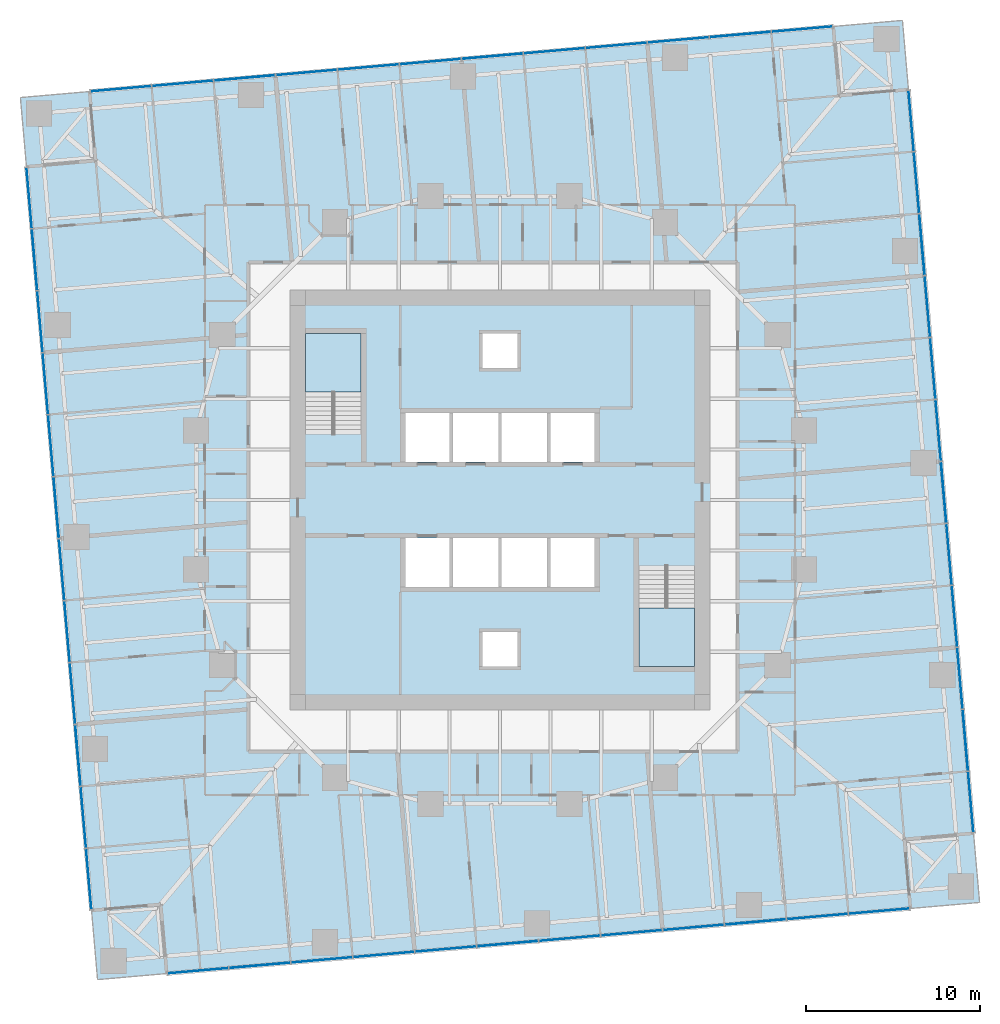
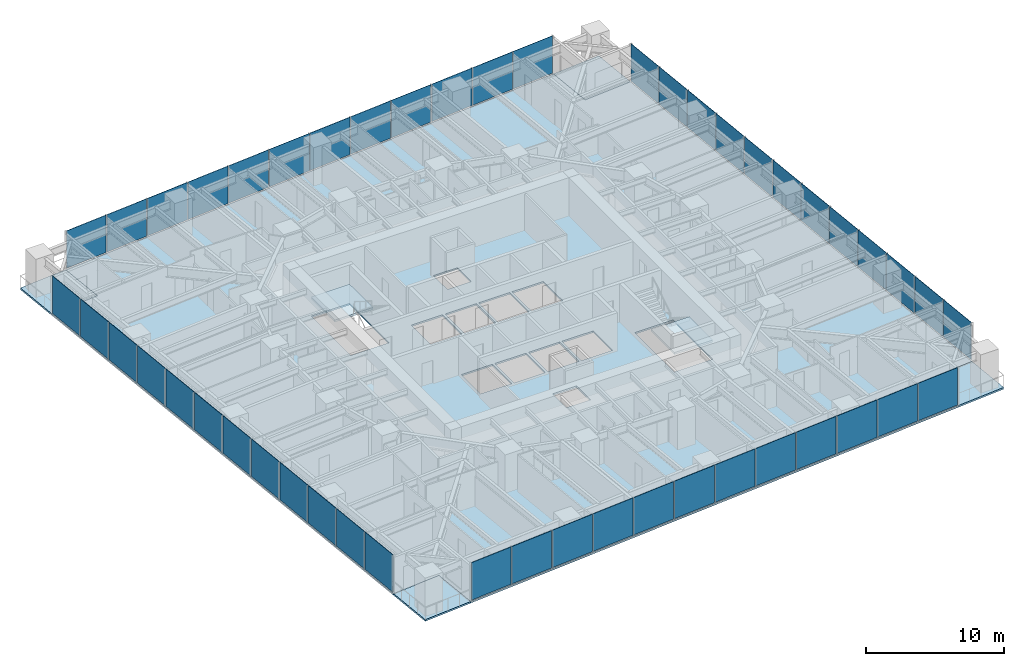
# One storey, part 7 of 14: 48 plates, 7 slabs, 6 elements without a shape of their own.
"""IFC4 building model written with IfcOpenShell, lengths in metres."""

from ifc_helpers import new_model, si_unit, direction, frame, origin, origin_2d, place, context, subcontext, project, spatial, polyline, rectangle, outline, extrude, material, layer, layer_set, type_object, element, aggregate, save


model = new_model("IFC4")

# Units and contexts
model_context = context("Model", 3, precision=1e-05, world=origin(), true_north=direction((0.0, 1.0)))
body_context = subcontext(model_context, "Body", "Model", "MODEL_VIEW")
ifc_project = project(units=[si_unit("LENGTHUNIT", "METRE"), si_unit("AREAUNIT", "SQUARE_METRE"), si_unit("VOLUMEUNIT", "CUBIC_METRE"), si_unit("PLANEANGLEUNIT", "RADIAN"), si_unit("MASSUNIT", "GRAM", prefix="KILO")], contexts=[model_context])

# Site, building, storey
site_placement = place(None, origin())
site = spatial("IfcSite", under=ifc_project, at=site_placement, CompositionType="ELEMENT")
building_placement = place(site_placement, origin())
building = spatial("IfcBuilding", under=site, at=building_placement, Name="Torsade Residences", CompositionType="ELEMENT")
storey_placement = place(building_placement, frame((0.0, 0.0, 50.60009765625)))
storey = spatial("IfcBuildingStorey", under=building, at=storey_placement, Name="L13", CompositionType="ELEMENT", Elevation=50.60009765625)

# Slab
ifc_material_1 = material(Name="Concrete 40 MPa", Category="concrete")
ifc_layer_1 = layer(ifc_material_1, 0.14990234375)
ifc_layer_set_1 = layer_set([ifc_layer_1], Name="Concrete 40 MPa")
slab_type_1 = type_object("IfcSlabType", Name="COMPOSITE FLOOR SLAB 150", PredefinedType="FLOOR", material=ifc_layer_set_1)
slab_1_placement = place(storey_placement, frame((0.0, 0.0, -0.150146484375)))
element("IfcSlab", 1, at=slab_1_placement, inside=storey, type_object=slab_type_1, Name="Floor slab L13", PredefinedType="FLOOR", context=body_context, shape_type="SweptSolid", body=[
    extrude(outline(polyline([(20.80419921875, 2.72314453125), (63.640625, 6.470947265625), (63.2919921875, 10.45556640625), (67.27685546875, 10.80419921875), (63.529052734375, 53.640625), (59.54443359375, 53.2919921875), (59.19580078125, 57.27685546875), (16.359375, 53.529052734375), (16.7080078125, 49.54443359375), (12.72314453125, 49.19580078125), (16.470947265625, 6.359375), (20.45556640625, 6.7080078125), (20.80419921875, 2.72314453125)]), holes=[polyline([(51.199951171875, 20.39990234375), (51.199951171875, 26.1201171875), (48.0, 26.1201171875), (48.0, 20.39990234375), (51.199951171875, 20.39990234375)]), polyline([(45.5, 27.800048828125), (42.89990234375, 27.800048828125), (42.89990234375, 25.0), (45.5, 25.0), (45.5, 27.800048828125)]), polyline([(45.5, 32.199951171875), (45.5, 35.0), (42.89990234375, 35.0), (42.89990234375, 32.199951171875), (45.5, 32.199951171875)]), polyline([(42.699951171875, 25.0), (42.699951171875, 27.800048828125), (40.10009765625, 27.800048828125), (40.10009765625, 25.0), (42.699951171875, 25.0)]), polyline([(42.699951171875, 32.199951171875), (42.699951171875, 35.0), (40.10009765625, 35.0), (40.10009765625, 32.199951171875), (42.699951171875, 32.199951171875)]), polyline([(41.0, 22.39990234375), (39.0, 22.39990234375), (39.0, 20.39990234375), (41.0, 20.39990234375), (41.0, 22.39990234375)]), polyline([(41.0, 37.60009765625), (41.0, 39.60009765625), (39.0, 39.60009765625), (39.0, 37.60009765625), (41.0, 37.60009765625)]), polyline([(39.89990234375, 25.0), (39.89990234375, 27.800048828125), (37.300048828125, 27.800048828125), (37.300048828125, 25.0), (39.89990234375, 25.0)]), polyline([(39.89990234375, 35.0), (37.300048828125, 35.0), (37.300048828125, 32.199951171875), (39.89990234375, 32.199951171875), (39.89990234375, 35.0)]), polyline([(37.10009765625, 27.800048828125), (34.5, 27.800048828125), (34.5, 25.0), (37.10009765625, 25.0), (37.10009765625, 27.800048828125)]), polyline([(37.10009765625, 32.199951171875), (37.10009765625, 35.0), (34.5, 35.0), (34.5, 32.199951171875), (37.10009765625, 32.199951171875)]), polyline([(32.0, 33.8798828125), (32.0, 39.60009765625), (28.800048828125, 39.60009765625), (28.800048828125, 33.8798828125), (32.0, 33.8798828125)])]), origin(), (0.0, 0.0, 1.0), 0.150146484375),
])

# Curtain wall, plates
ifc_material_2 = material(Name="Aluminium and glass", Category="aluminium")
curtain_wall_type = type_object("IfcCurtainWallType", Name="FRITTED GLASS CURTAIN WALL LOW ZONE", PredefinedType="NOTDEFINED", material=ifc_material_2)
curtain_wall_1_placement = place(storey_placement, origin())
curtain_wall_1 = element("IfcCurtainWall", 2, at=curtain_wall_1_placement, inside=storey, type_object=curtain_wall_type, Name="Curtain wall L13 face 1", PredefinedType="NOTDEFINED")
ifc_material_3 = material(Name="Laminated glass", Category="glass")
ifc_layer_2 = layer(ifc_material_3, 0.031982421875)
ifc_layer_set_2 = layer_set([ifc_layer_2], Name="Laminated glass")
plate_type_1 = type_object("IfcPlateType", Name="FRITTED GLASS PANEL", PredefinedType="CURTAIN_PANEL", material=ifc_layer_set_2)
plate_1_placement = place(storey_placement, frame((22.605224609375, 2.880859375, 0.10009765625), z_axis=(0.0, 0.0, 1.0), x_axis=(0.996194697964, 0.087155744208, 0.0)))
plate_1 = element("IfcPlate", 3, at=plate_1_placement, type_object=plate_type_1, Name="Panel 1", PredefinedType="CURTAIN_PANEL", context=body_context, shape_type="SweptSolid", body=[
    extrude(rectangle(XDim=3.48583984375, YDim=0.031982421875, at=origin_2d()), origin(), (0.0, 0.0, 1.0), 3.300048828125),
])
plate_2_placement = place(storey_placement, frame((29.728515625, 3.50390625, 0.10009765625), z_axis=(0.0, 0.0, 1.0), x_axis=(0.996194697964, 0.087155744208, 0.0)))
plate_2 = element("IfcPlate", 4, at=plate_2_placement, type_object=plate_type_1, Name="Panel 3", PredefinedType="CURTAIN_PANEL", context=body_context, shape_type="SweptSolid", body=[
    extrude(rectangle(XDim=3.518310546875, YDim=0.031982421875, at=origin_2d()), origin(), (0.0, 0.0, 1.0), 3.300048828125),
])
plate_3_placement = place(storey_placement, frame((33.29833984375, 3.816162109375, 0.10009765625), z_axis=(0.0, 0.0, 1.0), x_axis=(0.996194697964, 0.087155744208, 0.0)))
plate_3 = element("IfcPlate", 5, at=plate_3_placement, type_object=plate_type_1, Name="Panel 4", PredefinedType="CURTAIN_PANEL", context=body_context, shape_type="SweptSolid", body=[
    extrude(rectangle(XDim=3.518310546875, YDim=0.031982421875, at=origin_2d()), origin(), (0.0, 0.0, 1.0), 3.300048828125),
])
plate_4_placement = place(storey_placement, frame((36.867919921875, 4.128662109375, 0.10009765625), z_axis=(0.0, 0.0, 1.0), x_axis=(0.996194697964, 0.087155744208, 0.0)))
plate_4 = element("IfcPlate", 6, at=plate_4_placement, type_object=plate_type_1, Name="Panel 5", PredefinedType="CURTAIN_PANEL", context=body_context, shape_type="SweptSolid", body=[
    extrude(rectangle(XDim=3.518310546875, YDim=0.031982421875, at=origin_2d()), origin(), (0.0, 0.0, 1.0), 3.300048828125),
])
plate_5_placement = place(storey_placement, frame((44.00732421875, 4.753173828125, 0.10009765625), z_axis=(0.0, 0.0, 1.0), x_axis=(0.996194697964, 0.087155744208, 0.0)))
plate_5 = element("IfcPlate", 7, at=plate_5_placement, type_object=plate_type_1, Name="Panel 7", PredefinedType="CURTAIN_PANEL", context=body_context, shape_type="SweptSolid", body=[
    extrude(rectangle(XDim=3.518310546875, YDim=0.031982421875, at=origin_2d()), origin(), (0.0, 0.0, 1.0), 3.300048828125),
])
plate_6_placement = place(storey_placement, frame((47.576904296875, 5.0654296875, 0.10009765625), z_axis=(0.0, 0.0, 1.0), x_axis=(0.996194697964, 0.087155744208, 0.0)))
plate_6 = element("IfcPlate", 8, at=plate_6_placement, type_object=plate_type_1, Name="Panel 8", PredefinedType="CURTAIN_PANEL", context=body_context, shape_type="SweptSolid", body=[
    extrude(rectangle(XDim=3.518310546875, YDim=0.031982421875, at=origin_2d()), origin(), (0.0, 0.0, 1.0), 3.300048828125),
])
plate_7_placement = place(storey_placement, frame((51.146728515625, 5.377685546875, 0.10009765625), z_axis=(0.0, 0.0, 1.0), x_axis=(0.996194697964, 0.087155744208, 0.0)))
plate_7 = element("IfcPlate", 9, at=plate_7_placement, type_object=plate_type_1, Name="Panel 9", PredefinedType="CURTAIN_PANEL", context=body_context, shape_type="SweptSolid", body=[
    extrude(rectangle(XDim=3.518310546875, YDim=0.031982421875, at=origin_2d()), origin(), (0.0, 0.0, 1.0), 3.300048828125),
])
plate_8_placement = place(storey_placement, frame((58.2861328125, 6.00244140625, 0.10009765625), z_axis=(0.0, 0.0, 1.0), x_axis=(0.996194697964, 0.087155744208, 0.0)))
plate_8 = element("IfcPlate", 10, at=plate_8_placement, type_object=plate_type_1, Name="Panel 11", PredefinedType="CURTAIN_PANEL", context=body_context, shape_type="SweptSolid", body=[
    extrude(rectangle(XDim=3.518310546875, YDim=0.031982421875, at=origin_2d()), origin(), (0.0, 0.0, 1.0), 3.300048828125),
])
plate_9_placement = place(storey_placement, frame((61.839599609375, 6.313232421875, 0.10009765625), z_axis=(0.0, 0.0, 1.0), x_axis=(0.996194697964, 0.087155744208, 0.0)))
plate_9 = element("IfcPlate", 11, at=plate_9_placement, type_object=plate_type_1, Name="Panel 12", PredefinedType="CURTAIN_PANEL", context=body_context, shape_type="SweptSolid", body=[
    extrude(rectangle(XDim=3.48583984375, YDim=0.031982421875, at=origin_2d()), origin(), (0.0, 0.0, 1.0), 3.300048828125),
])

curtain_wall_2_placement = place(storey_placement, origin())
curtain_wall_2 = element("IfcCurtainWall", 12, at=curtain_wall_2_placement, inside=storey, type_object=curtain_wall_type, Name="Curtain wall L13 face 4", PredefinedType="NOTDEFINED")
plate_10_placement = place(storey_placement, frame((67.119140625, 12.605224609375, 0.10009765625), z_axis=(0.0, 0.0, 1.0), x_axis=(-0.087155744208, 0.996194697964, 0.0)))
plate_10 = element("IfcPlate", 13, at=plate_10_placement, type_object=plate_type_1, Name="Panel 1", PredefinedType="CURTAIN_PANEL", context=body_context, shape_type="SweptSolid", body=[
    extrude(rectangle(XDim=3.48583984375, YDim=0.031982421875, at=origin_2d()), origin(), (0.0, 0.0, 1.0), 3.300048828125),
])
plate_11_placement = place(storey_placement, frame((66.49609375, 19.728515625, 0.10009765625), z_axis=(0.0, 0.0, 1.0), x_axis=(-0.087155744208, 0.996194697964, 0.0)))
plate_11 = element("IfcPlate", 14, at=plate_11_placement, type_object=plate_type_1, Name="Panel 3", PredefinedType="CURTAIN_PANEL", context=body_context, shape_type="SweptSolid", body=[
    extrude(rectangle(XDim=3.518310546875, YDim=0.031982421875, at=origin_2d()), origin(), (0.0, 0.0, 1.0), 3.300048828125),
])
plate_12_placement = place(storey_placement, frame((66.183837890625, 23.29833984375, 0.10009765625), z_axis=(0.0, 0.0, 1.0), x_axis=(-0.087155744208, 0.996194697964, 0.0)))
plate_12 = element("IfcPlate", 15, at=plate_12_placement, type_object=plate_type_1, Name="Panel 4", PredefinedType="CURTAIN_PANEL", context=body_context, shape_type="SweptSolid", body=[
    extrude(rectangle(XDim=3.518310546875, YDim=0.031982421875, at=origin_2d()), origin(), (0.0, 0.0, 1.0), 3.300048828125),
])
plate_13_placement = place(storey_placement, frame((65.871337890625, 26.867919921875, 0.10009765625), z_axis=(0.0, 0.0, 1.0), x_axis=(-0.087155744208, 0.996194697964, 0.0)))
plate_13 = element("IfcPlate", 16, at=plate_13_placement, type_object=plate_type_1, Name="Panel 5", PredefinedType="CURTAIN_PANEL", context=body_context, shape_type="SweptSolid", body=[
    extrude(rectangle(XDim=3.518310546875, YDim=0.031982421875, at=origin_2d()), origin(), (0.0, 0.0, 1.0), 3.300048828125),
])
plate_14_placement = place(storey_placement, frame((65.246826171875, 34.00732421875, 0.10009765625), z_axis=(0.0, 0.0, 1.0), x_axis=(-0.087155744208, 0.996194697964, 0.0)))
plate_14 = element("IfcPlate", 17, at=plate_14_placement, type_object=plate_type_1, Name="Panel 7", PredefinedType="CURTAIN_PANEL", context=body_context, shape_type="SweptSolid", body=[
    extrude(rectangle(XDim=3.518310546875, YDim=0.031982421875, at=origin_2d()), origin(), (0.0, 0.0, 1.0), 3.300048828125),
])
plate_15_placement = place(storey_placement, frame((64.9345703125, 37.576904296875, 0.10009765625), z_axis=(0.0, 0.0, 1.0), x_axis=(-0.087155744208, 0.996194697964, 0.0)))
plate_15 = element("IfcPlate", 18, at=plate_15_placement, type_object=plate_type_1, Name="Panel 8", PredefinedType="CURTAIN_PANEL", context=body_context, shape_type="SweptSolid", body=[
    extrude(rectangle(XDim=3.518310546875, YDim=0.031982421875, at=origin_2d()), origin(), (0.0, 0.0, 1.0), 3.300048828125),
])
plate_16_placement = place(storey_placement, frame((64.622314453125, 41.146728515625, 0.10009765625), z_axis=(0.0, 0.0, 1.0), x_axis=(-0.087155744208, 0.996194697964, 0.0)))
plate_16 = element("IfcPlate", 19, at=plate_16_placement, type_object=plate_type_1, Name="Panel 9", PredefinedType="CURTAIN_PANEL", context=body_context, shape_type="SweptSolid", body=[
    extrude(rectangle(XDim=3.518310546875, YDim=0.031982421875, at=origin_2d()), origin(), (0.0, 0.0, 1.0), 3.300048828125),
])
plate_17_placement = place(storey_placement, frame((63.99755859375, 48.2861328125, 0.10009765625), z_axis=(0.0, 0.0, 1.0), x_axis=(-0.087155744208, 0.996194697964, 0.0)))
plate_17 = element("IfcPlate", 20, at=plate_17_placement, type_object=plate_type_1, Name="Panel 11", PredefinedType="CURTAIN_PANEL", context=body_context, shape_type="SweptSolid", body=[
    extrude(rectangle(XDim=3.518310546875, YDim=0.031982421875, at=origin_2d()), origin(), (0.0, 0.0, 1.0), 3.300048828125),
])
plate_18_placement = place(storey_placement, frame((63.686767578125, 51.839599609375, 0.10009765625), z_axis=(0.0, 0.0, 1.0), x_axis=(-0.087155744208, 0.996194697964, 0.0)))
plate_18 = element("IfcPlate", 21, at=plate_18_placement, type_object=plate_type_1, Name="Panel 12", PredefinedType="CURTAIN_PANEL", context=body_context, shape_type="SweptSolid", body=[
    extrude(rectangle(XDim=3.48583984375, YDim=0.031982421875, at=origin_2d()), origin(), (0.0, 0.0, 1.0), 3.300048828125),
])

curtain_wall_3_placement = place(storey_placement, origin())
curtain_wall_3 = element("IfcCurtainWall", 22, at=curtain_wall_3_placement, inside=storey, type_object=curtain_wall_type, Name="Curtain wall L13 face 7", PredefinedType="NOTDEFINED")
plate_19_placement = place(storey_placement, frame((57.394775390625, 57.119140625, 0.10009765625), z_axis=(0.0, 0.0, 1.0), x_axis=(-0.996194697964, -0.087155744208, 0.0)))
plate_19 = element("IfcPlate", 23, at=plate_19_placement, type_object=plate_type_1, Name="Panel 1", PredefinedType="CURTAIN_PANEL", context=body_context, shape_type="SweptSolid", body=[
    extrude(rectangle(XDim=3.48583984375, YDim=0.031982421875, at=origin_2d()), origin(), (0.0, 0.0, 1.0), 3.300048828125),
])
plate_20_placement = place(storey_placement, frame((50.271484375, 56.49609375, 0.10009765625), z_axis=(0.0, 0.0, 1.0), x_axis=(-0.996194697964, -0.087155744208, 0.0)))
plate_20 = element("IfcPlate", 24, at=plate_20_placement, type_object=plate_type_1, Name="Panel 3", PredefinedType="CURTAIN_PANEL", context=body_context, shape_type="SweptSolid", body=[
    extrude(rectangle(XDim=3.518310546875, YDim=0.031982421875, at=origin_2d()), origin(), (0.0, 0.0, 1.0), 3.300048828125),
])
plate_21_placement = place(storey_placement, frame((46.70166015625, 56.183837890625, 0.10009765625), z_axis=(0.0, 0.0, 1.0), x_axis=(-0.996194697964, -0.087155744208, 0.0)))
plate_21 = element("IfcPlate", 25, at=plate_21_placement, type_object=plate_type_1, Name="Panel 4", PredefinedType="CURTAIN_PANEL", context=body_context, shape_type="SweptSolid", body=[
    extrude(rectangle(XDim=3.518310546875, YDim=0.031982421875, at=origin_2d()), origin(), (0.0, 0.0, 1.0), 3.300048828125),
])
plate_22_placement = place(storey_placement, frame((43.132080078125, 55.871337890625, 0.10009765625), z_axis=(0.0, 0.0, 1.0), x_axis=(-0.996194697964, -0.087155744208, 0.0)))
plate_22 = element("IfcPlate", 26, at=plate_22_placement, type_object=plate_type_1, Name="Panel 5", PredefinedType="CURTAIN_PANEL", context=body_context, shape_type="SweptSolid", body=[
    extrude(rectangle(XDim=3.518310546875, YDim=0.031982421875, at=origin_2d()), origin(), (0.0, 0.0, 1.0), 3.300048828125),
])
plate_23_placement = place(storey_placement, frame((35.99267578125, 55.246826171875, 0.10009765625), z_axis=(0.0, 0.0, 1.0), x_axis=(-0.996194697964, -0.087155744208, 0.0)))
plate_23 = element("IfcPlate", 27, at=plate_23_placement, type_object=plate_type_1, Name="Panel 7", PredefinedType="CURTAIN_PANEL", context=body_context, shape_type="SweptSolid", body=[
    extrude(rectangle(XDim=3.518310546875, YDim=0.031982421875, at=origin_2d()), origin(), (0.0, 0.0, 1.0), 3.300048828125),
])
plate_24_placement = place(storey_placement, frame((32.423095703125, 54.9345703125, 0.10009765625), z_axis=(0.0, 0.0, 1.0), x_axis=(-0.996194697964, -0.087155744208, 0.0)))
plate_24 = element("IfcPlate", 28, at=plate_24_placement, type_object=plate_type_1, Name="Panel 8", PredefinedType="CURTAIN_PANEL", context=body_context, shape_type="SweptSolid", body=[
    extrude(rectangle(XDim=3.518310546875, YDim=0.031982421875, at=origin_2d()), origin(), (0.0, 0.0, 1.0), 3.300048828125),
])
plate_25_placement = place(storey_placement, frame((28.853271484375, 54.622314453125, 0.10009765625), z_axis=(0.0, 0.0, 1.0), x_axis=(-0.996194697964, -0.087155744208, 0.0)))
plate_25 = element("IfcPlate", 29, at=plate_25_placement, type_object=plate_type_1, Name="Panel 9", PredefinedType="CURTAIN_PANEL", context=body_context, shape_type="SweptSolid", body=[
    extrude(rectangle(XDim=3.518310546875, YDim=0.031982421875, at=origin_2d()), origin(), (0.0, 0.0, 1.0), 3.300048828125),
])
plate_26_placement = place(storey_placement, frame((21.7138671875, 53.99755859375, 0.10009765625), z_axis=(0.0, 0.0, 1.0), x_axis=(-0.996194697964, -0.087155744208, 0.0)))
plate_26 = element("IfcPlate", 30, at=plate_26_placement, type_object=plate_type_1, Name="Panel 11", PredefinedType="CURTAIN_PANEL", context=body_context, shape_type="SweptSolid", body=[
    extrude(rectangle(XDim=3.518310546875, YDim=0.031982421875, at=origin_2d()), origin(), (0.0, 0.0, 1.0), 3.300048828125),
])
plate_27_placement = place(storey_placement, frame((18.160400390625, 53.686767578125, 0.10009765625), z_axis=(0.0, 0.0, 1.0), x_axis=(-0.996194697964, -0.087155744208, 0.0)))
plate_27 = element("IfcPlate", 31, at=plate_27_placement, type_object=plate_type_1, Name="Panel 12", PredefinedType="CURTAIN_PANEL", context=body_context, shape_type="SweptSolid", body=[
    extrude(rectangle(XDim=3.48583984375, YDim=0.031982421875, at=origin_2d()), origin(), (0.0, 0.0, 1.0), 3.300048828125),
])

curtain_wall_4_placement = place(storey_placement, origin())
curtain_wall_4 = element("IfcCurtainWall", 32, at=curtain_wall_4_placement, inside=storey, type_object=curtain_wall_type, Name="Curtain wall L13 face 10", PredefinedType="NOTDEFINED")
plate_28_placement = place(storey_placement, frame((12.880859375, 47.394775390625, 0.10009765625), z_axis=(0.0, 0.0, 1.0), x_axis=(0.087155744208, -0.996194697964, 0.0)))
plate_28 = element("IfcPlate", 33, at=plate_28_placement, type_object=plate_type_1, Name="Panel 1", PredefinedType="CURTAIN_PANEL", context=body_context, shape_type="SweptSolid", body=[
    extrude(rectangle(XDim=3.48583984375, YDim=0.031982421875, at=origin_2d()), origin(), (0.0, 0.0, 1.0), 3.300048828125),
])
plate_29_placement = place(storey_placement, frame((13.50390625, 40.271484375, 0.10009765625), z_axis=(0.0, 0.0, 1.0), x_axis=(0.087155744208, -0.996194697964, 0.0)))
plate_29 = element("IfcPlate", 34, at=plate_29_placement, type_object=plate_type_1, Name="Panel 3", PredefinedType="CURTAIN_PANEL", context=body_context, shape_type="SweptSolid", body=[
    extrude(rectangle(XDim=3.518310546875, YDim=0.031982421875, at=origin_2d()), origin(), (0.0, 0.0, 1.0), 3.300048828125),
])
plate_30_placement = place(storey_placement, frame((13.816162109375, 36.70166015625, 0.10009765625), z_axis=(0.0, 0.0, 1.0), x_axis=(0.087155744208, -0.996194697964, 0.0)))
plate_30 = element("IfcPlate", 35, at=plate_30_placement, type_object=plate_type_1, Name="Panel 4", PredefinedType="CURTAIN_PANEL", context=body_context, shape_type="SweptSolid", body=[
    extrude(rectangle(XDim=3.518310546875, YDim=0.031982421875, at=origin_2d()), origin(), (0.0, 0.0, 1.0), 3.300048828125),
])
plate_31_placement = place(storey_placement, frame((14.128662109375, 33.132080078125, 0.10009765625), z_axis=(0.0, 0.0, 1.0), x_axis=(0.087155744208, -0.996194697964, 0.0)))
plate_31 = element("IfcPlate", 36, at=plate_31_placement, type_object=plate_type_1, Name="Panel 5", PredefinedType="CURTAIN_PANEL", context=body_context, shape_type="SweptSolid", body=[
    extrude(rectangle(XDim=3.518310546875, YDim=0.031982421875, at=origin_2d()), origin(), (0.0, 0.0, 1.0), 3.300048828125),
])
plate_32_placement = place(storey_placement, frame((14.753173828125, 25.99267578125, 0.10009765625), z_axis=(0.0, 0.0, 1.0), x_axis=(0.087155744208, -0.996194697964, 0.0)))
plate_32 = element("IfcPlate", 37, at=plate_32_placement, type_object=plate_type_1, Name="Panel 7", PredefinedType="CURTAIN_PANEL", context=body_context, shape_type="SweptSolid", body=[
    extrude(rectangle(XDim=3.518310546875, YDim=0.031982421875, at=origin_2d()), origin(), (0.0, 0.0, 1.0), 3.300048828125),
])
plate_33_placement = place(storey_placement, frame((15.0654296875, 22.423095703125, 0.10009765625), z_axis=(0.0, 0.0, 1.0), x_axis=(0.087155744208, -0.996194697964, 0.0)))
plate_33 = element("IfcPlate", 38, at=plate_33_placement, type_object=plate_type_1, Name="Panel 8", PredefinedType="CURTAIN_PANEL", context=body_context, shape_type="SweptSolid", body=[
    extrude(rectangle(XDim=3.518310546875, YDim=0.031982421875, at=origin_2d()), origin(), (0.0, 0.0, 1.0), 3.300048828125),
])
plate_34_placement = place(storey_placement, frame((15.377685546875, 18.853271484375, 0.10009765625), z_axis=(0.0, 0.0, 1.0), x_axis=(0.087155744208, -0.996194697964, 0.0)))
plate_34 = element("IfcPlate", 39, at=plate_34_placement, type_object=plate_type_1, Name="Panel 9", PredefinedType="CURTAIN_PANEL", context=body_context, shape_type="SweptSolid", body=[
    extrude(rectangle(XDim=3.518310546875, YDim=0.031982421875, at=origin_2d()), origin(), (0.0, 0.0, 1.0), 3.300048828125),
])
plate_35_placement = place(storey_placement, frame((16.00244140625, 11.7138671875, 0.10009765625), z_axis=(0.0, 0.0, 1.0), x_axis=(0.087155744208, -0.996194697964, 0.0)))
plate_35 = element("IfcPlate", 40, at=plate_35_placement, type_object=plate_type_1, Name="Panel 11", PredefinedType="CURTAIN_PANEL", context=body_context, shape_type="SweptSolid", body=[
    extrude(rectangle(XDim=3.518310546875, YDim=0.031982421875, at=origin_2d()), origin(), (0.0, 0.0, 1.0), 3.300048828125),
])
plate_36_placement = place(storey_placement, frame((16.313232421875, 8.160400390625, 0.10009765625), z_axis=(0.0, 0.0, 1.0), x_axis=(0.087155744208, -0.996194697964, 0.0)))
plate_36 = element("IfcPlate", 41, at=plate_36_placement, type_object=plate_type_1, Name="Panel 12", PredefinedType="CURTAIN_PANEL", context=body_context, shape_type="SweptSolid", body=[
    extrude(rectangle(XDim=3.48583984375, YDim=0.031982421875, at=origin_2d()), origin(), (0.0, 0.0, 1.0), 3.300048828125),
])

# Plate
ifc_material_4 = material(Name="Laminated glass", Category="glass")
ifc_layer_3 = layer(ifc_material_4, 0.0400390625)
ifc_layer_set_3 = layer_set([ifc_layer_3], Name="Laminated glass")
plate_type_2 = type_object("IfcPlateType", Name="OPERABLE VENT PANEL", PredefinedType="CURTAIN_PANEL", material=ifc_layer_set_3)
plate_37_placement = place(storey_placement, frame((26.158935546875, 3.191650390625, 0.10009765625), z_axis=(0.0, 0.0, 1.0), x_axis=(0.996194697964, 0.087155744208, 0.0)))
plate_37 = element("IfcPlate", 42, at=plate_37_placement, type_object=plate_type_2, Name="Panel 2", PredefinedType="CURTAIN_PANEL", context=body_context, shape_type="SweptSolid", body=[
    extrude(rectangle(XDim=3.518310546875, YDim=0.0400390625, at=origin_2d()), origin(), (0.0, 0.0, 1.0), 3.300048828125),
])

plate_38_placement = place(storey_placement, frame((40.437744140625, 4.44091796875, 0.10009765625), z_axis=(0.0, 0.0, 1.0), x_axis=(0.996194697964, 0.087155744208, 0.0)))
plate_38 = element("IfcPlate", 43, at=plate_38_placement, type_object=plate_type_2, Name="Panel 6", PredefinedType="CURTAIN_PANEL", context=body_context, shape_type="SweptSolid", body=[
    extrude(rectangle(XDim=3.518310546875, YDim=0.0400390625, at=origin_2d()), origin(), (0.0, 0.0, 1.0), 3.300048828125),
])

plate_39_placement = place(storey_placement, frame((54.71630859375, 5.690185546875, 0.10009765625), z_axis=(0.0, 0.0, 1.0), x_axis=(0.996194697964, 0.087155744208, 0.0)))
plate_39 = element("IfcPlate", 44, at=plate_39_placement, type_object=plate_type_2, Name="Panel 10", PredefinedType="CURTAIN_PANEL", context=body_context, shape_type="SweptSolid", body=[
    extrude(rectangle(XDim=3.518310546875, YDim=0.0400390625, at=origin_2d()), origin(), (0.0, 0.0, 1.0), 3.300048828125),
])

aggregate(curtain_wall_1, [plate_1, plate_37, plate_2, plate_3, plate_4, plate_38, plate_5, plate_6, plate_7, plate_39, plate_8, plate_9])

plate_40_placement = place(storey_placement, frame((66.808349609375, 16.158935546875, 0.10009765625), z_axis=(0.0, 0.0, 1.0), x_axis=(-0.087155744208, 0.996194697964, 0.0)))
plate_40 = element("IfcPlate", 45, at=plate_40_placement, type_object=plate_type_2, Name="Panel 2", PredefinedType="CURTAIN_PANEL", context=body_context, shape_type="SweptSolid", body=[
    extrude(rectangle(XDim=3.518310546875, YDim=0.0400390625, at=origin_2d()), origin(), (0.0, 0.0, 1.0), 3.300048828125),
])

plate_41_placement = place(storey_placement, frame((65.55908203125, 30.437744140625, 0.10009765625), z_axis=(0.0, 0.0, 1.0), x_axis=(-0.087155744208, 0.996194697964, 0.0)))
plate_41 = element("IfcPlate", 46, at=plate_41_placement, type_object=plate_type_2, Name="Panel 6", PredefinedType="CURTAIN_PANEL", context=body_context, shape_type="SweptSolid", body=[
    extrude(rectangle(XDim=3.518310546875, YDim=0.0400390625, at=origin_2d()), origin(), (0.0, 0.0, 1.0), 3.300048828125),
])

plate_42_placement = place(storey_placement, frame((64.309814453125, 44.71630859375, 0.10009765625), z_axis=(0.0, 0.0, 1.0), x_axis=(-0.087155744208, 0.996194697964, 0.0)))
plate_42 = element("IfcPlate", 47, at=plate_42_placement, type_object=plate_type_2, Name="Panel 10", PredefinedType="CURTAIN_PANEL", context=body_context, shape_type="SweptSolid", body=[
    extrude(rectangle(XDim=3.518310546875, YDim=0.0400390625, at=origin_2d()), origin(), (0.0, 0.0, 1.0), 3.300048828125),
])

aggregate(curtain_wall_2, [plate_10, plate_40, plate_11, plate_12, plate_13, plate_41, plate_14, plate_15, plate_16, plate_42, plate_17, plate_18])

plate_43_placement = place(storey_placement, frame((53.841064453125, 56.808349609375, 0.10009765625), z_axis=(0.0, 0.0, 1.0), x_axis=(-0.996194697964, -0.087155744208, 0.0)))
plate_43 = element("IfcPlate", 48, at=plate_43_placement, type_object=plate_type_2, Name="Panel 2", PredefinedType="CURTAIN_PANEL", context=body_context, shape_type="SweptSolid", body=[
    extrude(rectangle(XDim=3.518310546875, YDim=0.0400390625, at=origin_2d()), origin(), (0.0, 0.0, 1.0), 3.300048828125),
])

plate_44_placement = place(storey_placement, frame((39.562255859375, 55.55908203125, 0.10009765625), z_axis=(0.0, 0.0, 1.0), x_axis=(-0.996194697964, -0.087155744208, 0.0)))
plate_44 = element("IfcPlate", 49, at=plate_44_placement, type_object=plate_type_2, Name="Panel 6", PredefinedType="CURTAIN_PANEL", context=body_context, shape_type="SweptSolid", body=[
    extrude(rectangle(XDim=3.518310546875, YDim=0.0400390625, at=origin_2d()), origin(), (0.0, 0.0, 1.0), 3.300048828125),
])

plate_45_placement = place(storey_placement, frame((25.28369140625, 54.309814453125, 0.10009765625), z_axis=(0.0, 0.0, 1.0), x_axis=(-0.996194697964, -0.087155744208, 0.0)))
plate_45 = element("IfcPlate", 50, at=plate_45_placement, type_object=plate_type_2, Name="Panel 10", PredefinedType="CURTAIN_PANEL", context=body_context, shape_type="SweptSolid", body=[
    extrude(rectangle(XDim=3.518310546875, YDim=0.0400390625, at=origin_2d()), origin(), (0.0, 0.0, 1.0), 3.300048828125),
])

aggregate(curtain_wall_3, [plate_19, plate_43, plate_20, plate_21, plate_22, plate_44, plate_23, plate_24, plate_25, plate_45, plate_26, plate_27])

plate_46_placement = place(storey_placement, frame((13.191650390625, 43.841064453125, 0.10009765625), z_axis=(0.0, 0.0, 1.0), x_axis=(0.087155744208, -0.996194697964, 0.0)))
plate_46 = element("IfcPlate", 51, at=plate_46_placement, type_object=plate_type_2, Name="Panel 2", PredefinedType="CURTAIN_PANEL", context=body_context, shape_type="SweptSolid", body=[
    extrude(rectangle(XDim=3.518310546875, YDim=0.0400390625, at=origin_2d()), origin(), (0.0, 0.0, 1.0), 3.300048828125),
])

plate_47_placement = place(storey_placement, frame((14.44091796875, 29.562255859375, 0.10009765625), z_axis=(0.0, 0.0, 1.0), x_axis=(0.087155744208, -0.996194697964, 0.0)))
plate_47 = element("IfcPlate", 52, at=plate_47_placement, type_object=plate_type_2, Name="Panel 6", PredefinedType="CURTAIN_PANEL", context=body_context, shape_type="SweptSolid", body=[
    extrude(rectangle(XDim=3.518310546875, YDim=0.0400390625, at=origin_2d()), origin(), (0.0, 0.0, 1.0), 3.300048828125),
])

plate_48_placement = place(storey_placement, frame((15.690185546875, 15.28369140625, 0.10009765625), z_axis=(0.0, 0.0, 1.0), x_axis=(0.087155744208, -0.996194697964, 0.0)))
plate_48 = element("IfcPlate", 53, at=plate_48_placement, type_object=plate_type_2, Name="Panel 10", PredefinedType="CURTAIN_PANEL", context=body_context, shape_type="SweptSolid", body=[
    extrude(rectangle(XDim=3.518310546875, YDim=0.0400390625, at=origin_2d()), origin(), (0.0, 0.0, 1.0), 3.300048828125),
])

aggregate(curtain_wall_4, [plate_28, plate_46, plate_29, plate_30, plate_31, plate_47, plate_32, plate_33, plate_34, plate_48, plate_35, plate_36])

# Stair, slab
ifc_material_5 = material(Name="Precast concrete 40 MPa", Category="concrete")
stair_type = type_object("IfcStairType", Name="HALF-TURN FIRE STAIR 1500x3400", PredefinedType="HALF_TURN_STAIR", material=ifc_material_5)
stair_1_placement = place(storey_placement, origin())
stair_1 = element("IfcStair", 54, at=stair_1_placement, inside=storey, type_object=stair_type, Name="Stair ST1 L13", PredefinedType="HALF_TURN_STAIR")
ifc_material_6 = material(Name="Precast concrete 40 MPa", Category="concrete")
ifc_layer_4 = layer(ifc_material_6, 0.179931640625)
ifc_layer_set_4 = layer_set([ifc_layer_4], Name="Precast concrete 40 MPa")
slab_type_2 = type_object("IfcSlabType", Name="PRECAST STAIR LANDING 180", PredefinedType="LANDING", material=ifc_layer_set_4)
slab_2_placement = place(storey_placement, frame((0.0, 0.0, 1.52001953125)))
slab_2 = element("IfcSlab", 55, at=slab_2_placement, type_object=slab_type_2, Name="ST1 landing 1", PredefinedType="LANDING", context=body_context, shape_type="SweptSolid", body=[
    extrude(outline(polyline([(28.800048828125, 36.2099609375), (32.0, 36.2099609375), (32.0, 39.60009765625), (28.800048828125, 39.60009765625), (28.800048828125, 36.2099609375)])), origin(), (0.0, 0.0, 1.0), 0.179931640625),
])
aggregate(stair_1, [slab_2])

stair_2_placement = place(storey_placement, origin())
stair_2 = element("IfcStair", 56, at=stair_2_placement, inside=storey, type_object=stair_type, Name="Stair ST2 L13", PredefinedType="HALF_TURN_STAIR")
slab_3_placement = place(storey_placement, frame((0.0, 0.0, 1.52001953125)))
slab_3 = element("IfcSlab", 57, at=slab_3_placement, type_object=slab_type_2, Name="ST2 landing 1", PredefinedType="LANDING", context=body_context, shape_type="SweptSolid", body=[
    extrude(outline(polyline([(48.0, 20.39990234375), (51.199951171875, 20.39990234375), (51.199951171875, 23.7900390625), (48.0, 23.7900390625), (48.0, 20.39990234375)])), origin(), (0.0, 0.0, 1.0), 0.179931640625),
])
aggregate(stair_2, [slab_3])

# Slabs
ifc_material_7 = material(Name="Concrete 40 MPa", Category="concrete")
ifc_layer_5 = layer(ifc_material_7, 0.14990234375)
ifc_layer_set_5 = layer_set([ifc_layer_5], Name="Concrete 40 MPa")
slab_type_3 = type_object("IfcSlabType", Name="TERRACE SLAB 150", PredefinedType="FLOOR", material=ifc_layer_set_5)
slab_4_placement = place(storey_placement, frame((0.0, 0.0, -0.150146484375)))
element("IfcSlab", 58, at=slab_4_placement, inside=storey, type_object=slab_type_3, Name="Corner terrace slab SE L13", PredefinedType="FLOOR", context=body_context, shape_type="SweptSolid", body=[
    extrude(outline(polyline([(63.640625, 6.470947265625), (67.62548828125, 6.819580078125), (67.27685546875, 10.80419921875), (63.2919921875, 10.45556640625), (63.640625, 6.470947265625)])), origin(), (0.0, 0.0, 1.0), 0.150146484375),
])
slab_5_placement = place(storey_placement, frame((0.0, 0.0, -0.150146484375)))
element("IfcSlab", 59, at=slab_5_placement, inside=storey, type_object=slab_type_3, Name="Corner terrace slab NE L13", PredefinedType="FLOOR", context=body_context, shape_type="SweptSolid", body=[
    extrude(outline(polyline([(59.54443359375, 53.2919921875), (63.529052734375, 53.640625), (63.180419921875, 57.62548828125), (59.19580078125, 57.27685546875), (59.54443359375, 53.2919921875)])), origin(), (0.0, 0.0, 1.0), 0.150146484375),
])
slab_6_placement = place(storey_placement, frame((0.0, 0.0, -0.150146484375)))
element("IfcSlab", 60, at=slab_6_placement, inside=storey, type_object=slab_type_3, Name="Corner terrace slab NW L13", PredefinedType="FLOOR", context=body_context, shape_type="SweptSolid", body=[
    extrude(outline(polyline([(12.72314453125, 49.19580078125), (16.7080078125, 49.54443359375), (16.359375, 53.529052734375), (12.37451171875, 53.180419921875), (12.72314453125, 49.19580078125)])), origin(), (0.0, 0.0, 1.0), 0.150146484375),
])
slab_7_placement = place(storey_placement, frame((0.0, 0.0, -0.150146484375)))
element("IfcSlab", 61, at=slab_7_placement, inside=storey, type_object=slab_type_3, Name="Corner terrace slab SW L13", PredefinedType="FLOOR", context=body_context, shape_type="SweptSolid", body=[
    extrude(outline(polyline([(16.819580078125, 2.37451171875), (20.80419921875, 2.72314453125), (20.45556640625, 6.7080078125), (16.470947265625, 6.359375), (16.819580078125, 2.37451171875)])), origin(), (0.0, 0.0, 1.0), 0.150146484375),
])

save(model, "model.ifc")
